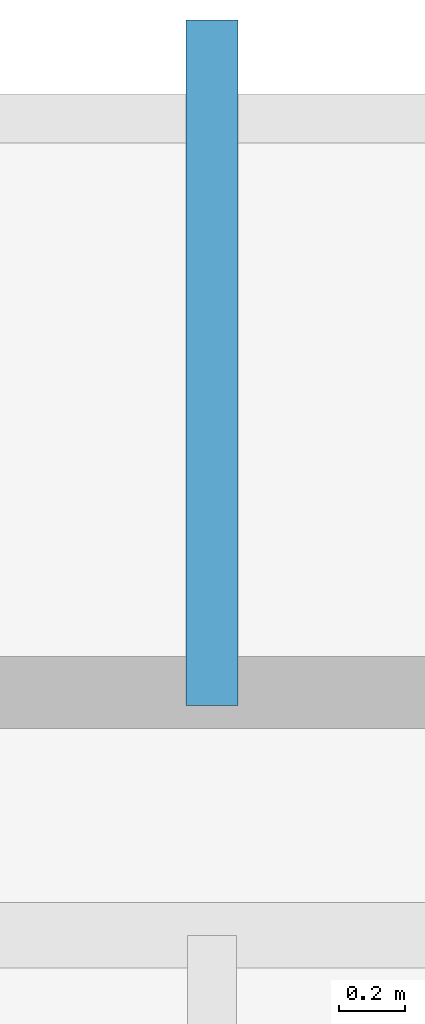
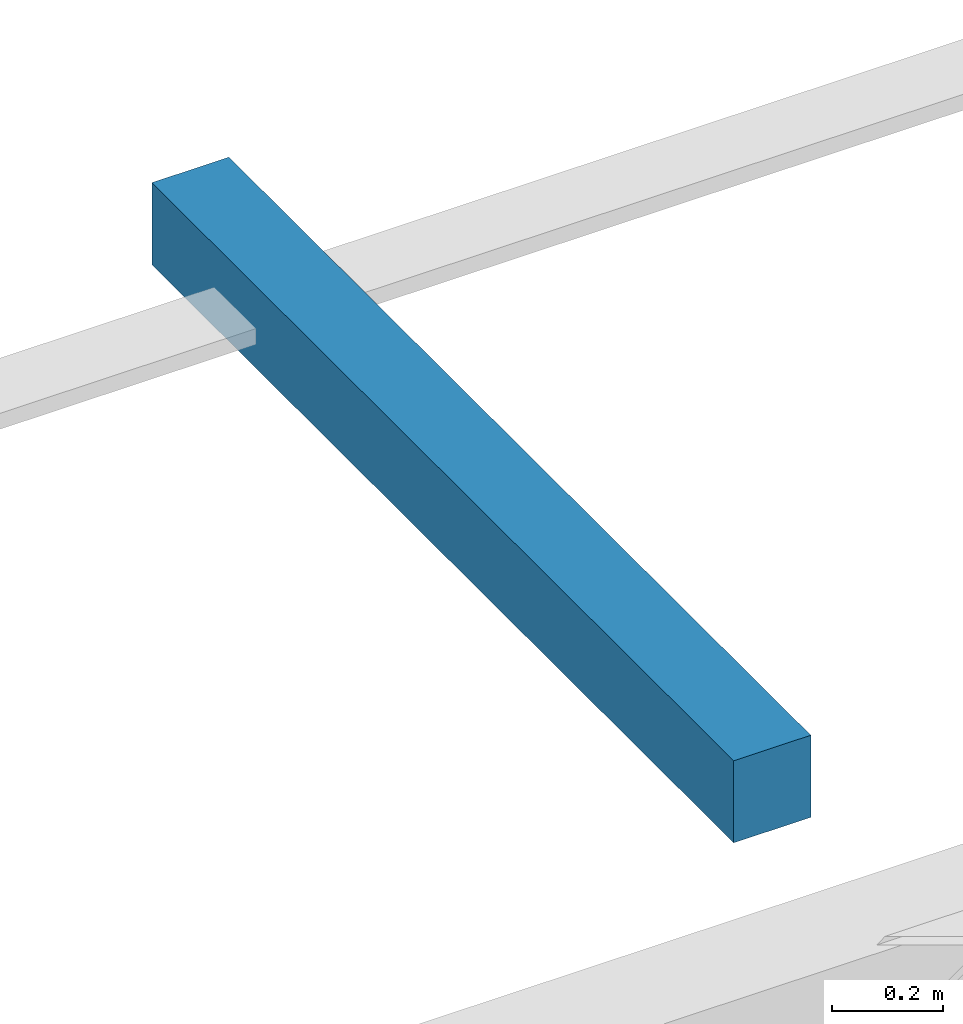
# One storey, part 20 of 24: 1 discrete accessory.
"""IFC4 building model written with IfcOpenShell, lengths in metres."""

from ifc_helpers import new_model, si_unit, direction, frame, origin, origin_2d, place, context, subcontext, project, spatial, rectangle, extrude, source, transform, mapped, material, type_object, element, save


model = new_model("IFC4")

# Units and contexts
model_context = context("Model", 3, precision=1e-05, world=origin(), true_north=direction((0.0, 1.0)))
body_context = subcontext(model_context, "Body", "Model", "MODEL_VIEW")
ifc_project = project(units=[si_unit("LENGTHUNIT", "METRE"), si_unit("AREAUNIT", "SQUARE_METRE"), si_unit("VOLUMEUNIT", "CUBIC_METRE"), si_unit("PLANEANGLEUNIT", "RADIAN"), si_unit("MASSUNIT", "GRAM", prefix="KILO"), si_unit("THERMODYNAMICTEMPERATUREUNIT", "KELVIN"), si_unit("POWERUNIT", "WATT")], contexts=[model_context])

# Site, building, storey
site_placement = place(None, origin())
site = spatial("IfcSite", under=ifc_project, at=site_placement, CompositionType="ELEMENT")
building_placement = place(site_placement, origin())
building = spatial("IfcBuilding", under=site, at=building_placement, Name="Qiaomeng Ring Towers", CompositionType="ELEMENT")
storey_placement = place(building_placement, frame((0.0, 0.0, 110.0)))
storey = spatial("IfcBuildingStorey", under=building, at=storey_placement, Name="L31", CompositionType="ELEMENT", Elevation=110.0)

# Discrete accessory
ifc_material = material(Name="Stainless steel 316", Category="steel")
discrete_accessory_type = type_object("IfcDiscreteAccessoryType", Name="ARC-ACC-BRACKET", PredefinedType="BRACKET", material=ifc_material)
shared_shape = source(origin(), body_context, "Body", "SweptSolid", [
    extrude(rectangle(XDim=0.159912109375, YDim=2.090087890625, at=origin_2d()), origin(), (0.0, 0.0, 1.0), 0.179931640625),
])
discrete_accessory_placement = place(storey_placement, frame((19.0, 41.794921875, 2.89990234375), z_axis=(0.0, 0.0, 1.0), x_axis=(1.0, 0.0, 0.0)))
element("IfcDiscreteAccessory", 1, at=discrete_accessory_placement, inside=storey, type_object=discrete_accessory_type, Name="L31 Stainless Outer-Skin Tie Bracket N", PredefinedType="BRACKET", context=body_context, shape_type="MappedRepresentation", body=[
    mapped(shared_shape, transform((0.0, 0.0, 0.0), x_axis=(1.0, 0.0, 0.0), y_axis=(0.0, 1.0, 0.0), z_axis=(0.0, 0.0, 1.0), scale=1.0)),
])

save(model, "model.ifc")
